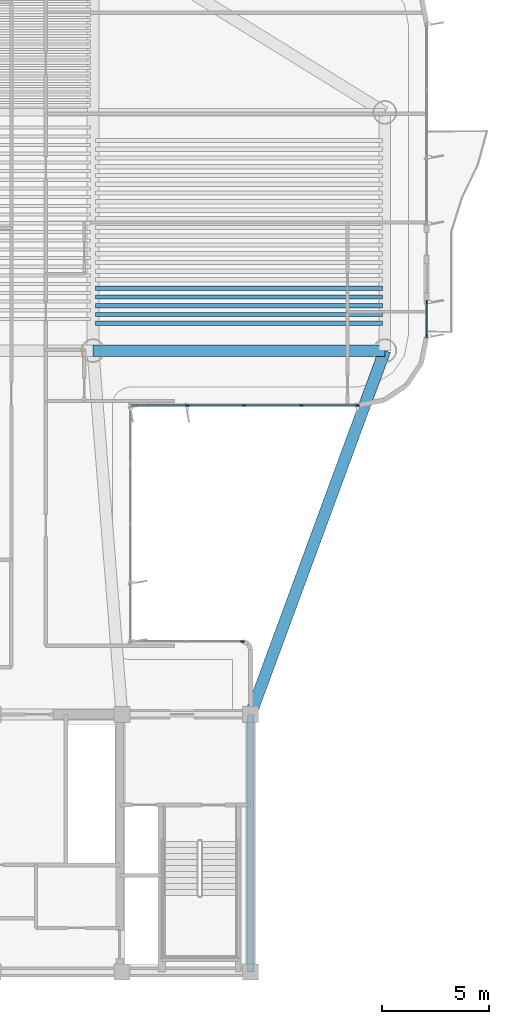
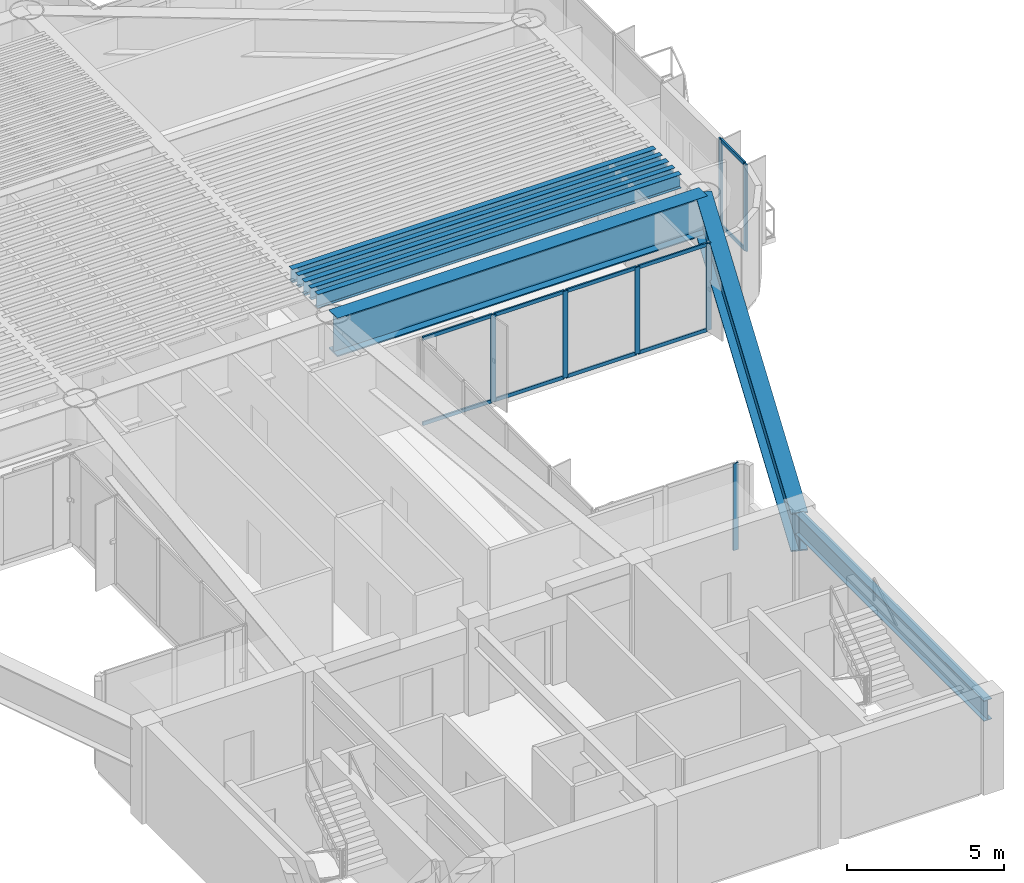
# One storey, part 4 of 13: 17 members, 8 beams, 3 elements without a shape of their own.
"""IFC4 building model written with IfcOpenShell, lengths in metres."""

from ifc_helpers import new_model, si_unit, direction, frame, origin, origin_2d, place, context, subcontext, project, spatial, rectangle, i_section, extrude, source, transform, mapped, material, layer, layer_set, material_profile, profile_set, type_object, element, aggregate, save


model = new_model("IFC4")

# Units and contexts
model_context = context("Model", 3, precision=1e-05, world=origin(), true_north=direction((0.0, 1.0)))
body_context = subcontext(model_context, "Body", "Model", "MODEL_VIEW")
ifc_project = project(units=[si_unit("LENGTHUNIT", "METRE"), si_unit("AREAUNIT", "SQUARE_METRE"), si_unit("VOLUMEUNIT", "CUBIC_METRE"), si_unit("PLANEANGLEUNIT", "RADIAN"), si_unit("MASSUNIT", "GRAM", prefix="KILO")], contexts=[model_context])

# Site, building, storey
site_placement = place(None, origin())
site = spatial("IfcSite", under=ifc_project, at=site_placement, CompositionType="ELEMENT")
building_placement = place(site_placement, origin())
building = spatial("IfcBuilding", under=site, at=building_placement, Name="Brelvock Crest Care Tower", CompositionType="ELEMENT")
storey_placement = place(building_placement, frame((0.0, 0.0, 209.340087890625)))
storey = spatial("IfcBuildingStorey", under=building, at=storey_placement, Name="L53", CompositionType="ELEMENT", Elevation=209.340087890625)

# Beams
ifc_material_1 = material(Name="Steel Grade 350", Category="steel")
ifc_material_profile_1 = material_profile(ifc_material_1, i_section(OverallWidth=0.300048828125, OverallDepth=0.800048828125, WebThickness=0.013916015625, FlangeThickness=0.02197265625, at=origin_2d()), Name="800WB192")
ifc_profile_set_1 = profile_set([ifc_material_profile_1], Name="Steel Grade 350")
beam_type_1 = type_object("IfcBeamType", Name="BM-G5", PredefinedType="BEAM", material=ifc_profile_set_1)
shared_shape_1 = source(origin(), body_context, "Body", "SweptSolid", [
    extrude(i_section(OverallWidth=0.300048828125, OverallDepth=0.800048828125, WebThickness=0.013916015625, FlangeThickness=0.02197265625, at=origin_2d()), origin(), (0.0, 0.0, 1.0), 12.0),
])
beam_1_placement = place(storey_placement, frame((48.0, 6.0, 2.971923828125), z_axis=(0.0, 1.0, 0.0), x_axis=(-1.0, 0.0, 0.0)))
element("IfcBeam", 1, at=beam_1_placement, inside=storey, type_object=beam_type_1, Name="BM-COREX-L53-5", PredefinedType="BEAM", context=body_context, shape_type="MappedRepresentation", body=[
    mapped(shared_shape_1, transform((0.0, 0.0, 0.0), x_axis=(1.0, 0.0, 0.0), y_axis=(0.0, 1.0, 0.0), z_axis=(0.0, 0.0, 1.0), scale=1.0)),
])
ifc_material_profile_2 = material_profile(ifc_material_1, i_section(OverallWidth=0.208984375, OverallDepth=0.532958984375, WebThickness=0.01025390625, FlangeThickness=0.015625, FilletRadius=0.013916015625, at=origin_2d()), Name="530UB92.4")
ifc_profile_set_2 = profile_set([ifc_material_profile_2], Name="Steel Grade 350")
beam_type_2 = type_object("IfcBeamType", Name="BM-G2", PredefinedType="BEAM", material=ifc_profile_set_2)
shared_shape_2 = source(origin(), body_context, "Body", "SweptSolid", [
    extrude(i_section(OverallWidth=0.208984375, OverallDepth=0.532958984375, WebThickness=0.01025390625, FlangeThickness=0.015625, FilletRadius=0.013916015625, at=origin_2d()), origin(), (0.0, 0.0, 1.0), 13.3701171875),
])
for number, where, z_axis, x_axis, name in (
    (2, (40.764892578125, 36.2265625, 3.10546875), (1.0, 0.0, 0.0), (0.0, 1.0, 0.0), "BM-JE-L53-3"),
    (3, (40.764892578125, 37.036865234375, 3.10546875), (1.0, 0.0, 0.0), (0.0, 1.0, 0.0), "BM-JE-L53-5"),
    (4, (40.764892578125, 37.84716796875, 3.10546875), (1.0, 0.0, 0.0), (0.0, 1.0, 0.0), "BM-JE-L53-7"),
):
    element("IfcBeam", number, at=place(storey_placement, frame(where, z_axis=z_axis, x_axis=x_axis)), inside=storey, type_object=beam_type_2, Name=name, PredefinedType="BEAM", context=body_context, shape_type="MappedRepresentation", body=[
        mapped(shared_shape_2, transform((0.0, 0.0, 0.0), x_axis=(1.0, 0.0, 0.0), y_axis=(0.0, 1.0, 0.0), z_axis=(0.0, 0.0, 1.0), scale=1.0)),
    ])
ifc_material_profile_3 = material_profile(ifc_material_1, i_section(OverallWidth=0.19091796875, OverallDepth=0.4599609375, WebThickness=0.010009765625, FlangeThickness=0.01611328125, FilletRadius=0.011474609375, at=origin_2d()), Name="460UB82.1")
ifc_profile_set_3 = profile_set([ifc_material_profile_3], Name="Steel Grade 350")
beam_type_3 = type_object("IfcBeamType", Name="BM-G3", PredefinedType="BEAM", material=ifc_profile_set_3)
shared_shape_3 = source(origin(), body_context, "Body", "SweptSolid", [
    extrude(i_section(OverallWidth=0.19091796875, OverallDepth=0.4599609375, WebThickness=0.010009765625, FlangeThickness=0.01611328125, FilletRadius=0.011474609375, at=origin_2d()), origin(), (0.0, 0.0, 1.0), 13.3701171875),
])
for number, where, z_axis, x_axis, name in (
    (5, (40.764892578125, 36.631591796875, 3.141845703125), (1.0, 0.0, 0.0), (0.0, 1.0, 0.0), "BM-JE-L53-4"),
    (6, (40.764892578125, 37.44189453125, 3.141845703125), (1.0, 0.0, 0.0), (0.0, 1.0, 0.0), "BM-JE-L53-6"),
):
    element("IfcBeam", number, at=place(storey_placement, frame(where, z_axis=z_axis, x_axis=x_axis)), inside=storey, type_object=beam_type_3, Name=name, PredefinedType="BEAM", context=body_context, shape_type="MappedRepresentation", body=[
        mapped(shared_shape_3, transform((0.0, 0.0, 0.0), x_axis=(1.0, 0.0, 0.0), y_axis=(0.0, 1.0, 0.0), z_axis=(0.0, 0.0, 1.0), scale=1.0)),
    ])
ifc_material_profile_4 = material_profile(ifc_material_1, i_section(OverallWidth=0.550048828125, OverallDepth=1.5, WebThickness=0.02392578125, FlangeThickness=0.044921875, at=origin_2d()), Name="1500TG580")
ifc_profile_set_4 = profile_set([ifc_material_profile_4], Name="Steel Grade 350")
beam_type_4 = type_object("IfcBeamType", Name="BM-TG2", PredefinedType="USERDEFINED", material=ifc_profile_set_4)
shared_shape_4 = source(origin(), body_context, "Body", "SweptSolid", [
    extrude(i_section(OverallWidth=0.550048828125, OverallDepth=1.5, WebThickness=0.02392578125, FlangeThickness=0.044921875, at=origin_2d()), origin(), (0.0, 0.0, 1.0), 13.60009765625),
])
beam_2_placement = place(storey_placement, frame((40.64990234375, 34.949951171875, 2.621826171875), z_axis=(1.0, 0.0, 0.0), x_axis=(0.0, 1.0, 0.0)))
element("IfcBeam", 7, at=beam_2_placement, inside=storey, type_object=beam_type_4, Name="BM-TWR-L53-04", ObjectType="GIRDER", PredefinedType="USERDEFINED", context=body_context, shape_type="MappedRepresentation", body=[
    mapped(shared_shape_4, transform((0.0, 0.0, 0.0), x_axis=(1.0, 0.0, 0.0), y_axis=(0.0, 1.0, 0.0), z_axis=(0.0, 0.0, 1.0), scale=1.0)),
])
shared_shape_5 = source(origin(), body_context, "Body", "SweptSolid", [
    extrude(i_section(OverallWidth=0.550048828125, OverallDepth=1.5, WebThickness=0.02392578125, FlangeThickness=0.044921875, at=origin_2d()), origin(), (0.0, 0.0, 1.0), 18.0654296875),
])
beam_3_placement = place(storey_placement, frame((48.0, 18.0, 2.621826171875), z_axis=(0.345962741309, 0.938248251597, 0.0), x_axis=(-0.938248251597, 0.345962741309, 0.0)))
element("IfcBeam", 8, at=beam_3_placement, inside=storey, type_object=beam_type_4, Name="BM-THRO-E-L53", ObjectType="GIRDER", PredefinedType="USERDEFINED", context=body_context, shape_type="MappedRepresentation", body=[
    mapped(shared_shape_5, transform((0.0, 0.0, 0.0), x_axis=(1.0, 0.0, 0.0), y_axis=(0.0, 1.0, 0.0), z_axis=(0.0, 0.0, 1.0), scale=1.0)),
])

# Curtain wall, members
ifc_material_2 = material(Name="Dark Glass Double Glazed Low-E", Category="glass")
ifc_layer = layer(ifc_material_2, 0.22509765625, Name="CWS-4")
ifc_layer_set = layer_set([ifc_layer], Name="Dark Glass Double Glazed Low-E")
curtain_wall_type = type_object("IfcCurtainWallType", Name="CWS-4", PredefinedType="NOTDEFINED", material=ifc_layer_set)
curtain_wall_1_placement = place(storey_placement, origin())
curtain_wall_1 = element("IfcCurtainWall", 9, at=curtain_wall_1_placement, inside=storey, type_object=curtain_wall_type, Name="L53 Curtain Wall E44", PredefinedType="NOTDEFINED")
ifc_material_3 = material(Name="Aluminium 6063-T6", Category="aluminium")
ifc_material_profile_5 = material_profile(ifc_material_3, rectangle(XDim=0.06005859375, YDim=0.139892578125, at=origin_2d()), Name="ALU60x140")
ifc_profile_set_5 = profile_set([ifc_material_profile_5], Name="Aluminium 6063-T6")
member_type_1 = type_object("IfcMemberType", Name="CWT-2", PredefinedType="USERDEFINED", material=ifc_profile_set_5)
shared_shape_6 = source(origin(), body_context, "Body", "SweptSolid", [
    extrude(rectangle(XDim=0.06005859375, YDim=0.139892578125, at=origin_2d()), origin(), (0.0, 0.0, 1.0), 2.56005859375),
])
member_1_placement = place(storey_placement, frame((52.93994140625, 32.39990234375, 0.030029296875), z_axis=(-1.0, 0.0, 0.0), x_axis=(0.0, -1.0, 0.0)))
member_1 = element("IfcMember", 10, at=member_1_placement, type_object=member_type_1, Name="CW-4 transom 1.1", ObjectType="TRANSOM", PredefinedType="USERDEFINED", context=body_context, shape_type="MappedRepresentation", body=[
    mapped(shared_shape_6, transform((0.0, 0.0, 0.0), x_axis=(1.0, 0.0, 0.0), y_axis=(0.0, 1.0, 0.0), z_axis=(0.0, 0.0, 1.0), scale=1.0)),
])
member_2_placement = place(storey_placement, frame((52.93994140625, 32.39990234375, 3.341796875), z_axis=(-1.0, 0.0, 0.0), x_axis=(0.0, -1.0, 0.0)))
member_2 = element("IfcMember", 11, at=member_2_placement, type_object=member_type_1, Name="CW-4 transom 1.2", ObjectType="TRANSOM", PredefinedType="USERDEFINED", context=body_context, shape_type="MappedRepresentation", body=[
    mapped(shared_shape_6, transform((0.0, 0.0, 0.0), x_axis=(1.0, 0.0, 0.0), y_axis=(0.0, 1.0, 0.0), z_axis=(0.0, 0.0, 1.0), scale=1.0)),
])
member_3_placement = place(storey_placement, frame((45.02001953125, 32.39990234375, 0.030029296875), z_axis=(-1.0, 0.0, 0.0), x_axis=(0.0, -1.0, 0.0)))
member_3 = element("IfcMember", 12, at=member_3_placement, type_object=member_type_1, Name="CW-4 transom 4.1", ObjectType="TRANSOM", PredefinedType="USERDEFINED", context=body_context, shape_type="MappedRepresentation", body=[
    mapped(shared_shape_6, transform((0.0, 0.0, 0.0), x_axis=(1.0, 0.0, 0.0), y_axis=(0.0, 1.0, 0.0), z_axis=(0.0, 0.0, 1.0), scale=1.0)),
])
member_4_placement = place(storey_placement, frame((45.02001953125, 32.39990234375, 3.341796875), z_axis=(-1.0, 0.0, 0.0), x_axis=(0.0, -1.0, 0.0)))
member_4 = element("IfcMember", 13, at=member_4_placement, type_object=member_type_1, Name="CW-4 transom 4.2", ObjectType="TRANSOM", PredefinedType="USERDEFINED", context=body_context, shape_type="MappedRepresentation", body=[
    mapped(shared_shape_6, transform((0.0, 0.0, 0.0), x_axis=(1.0, 0.0, 0.0), y_axis=(0.0, 1.0, 0.0), z_axis=(0.0, 0.0, 1.0), scale=1.0)),
])
shared_shape_7 = source(origin(), body_context, "Body", "SweptSolid", [
    extrude(rectangle(XDim=0.06005859375, YDim=0.139892578125, at=origin_2d()), origin(), (0.0, 0.0, 1.0), 2.58984375),
])
member_5_placement = place(storey_placement, frame((47.669921875, 32.39990234375, 0.030029296875), z_axis=(-1.0, 0.0, 0.0), x_axis=(0.0, -1.0, 0.0)))
member_5 = element("IfcMember", 14, at=member_5_placement, type_object=member_type_1, Name="CW-4 transom 3.1", ObjectType="TRANSOM", PredefinedType="USERDEFINED", context=body_context, shape_type="MappedRepresentation", body=[
    mapped(shared_shape_7, transform((0.0, 0.0, 0.0), x_axis=(1.0, 0.0, 0.0), y_axis=(0.0, 1.0, 0.0), z_axis=(0.0, 0.0, 1.0), scale=1.0)),
])
member_6_placement = place(storey_placement, frame((47.669921875, 32.39990234375, 3.341796875), z_axis=(-1.0, 0.0, 0.0), x_axis=(0.0, -1.0, 0.0)))
member_6 = element("IfcMember", 15, at=member_6_placement, type_object=member_type_1, Name="CW-4 transom 3.2", ObjectType="TRANSOM", PredefinedType="USERDEFINED", context=body_context, shape_type="MappedRepresentation", body=[
    mapped(shared_shape_7, transform((0.0, 0.0, 0.0), x_axis=(1.0, 0.0, 0.0), y_axis=(0.0, 1.0, 0.0), z_axis=(0.0, 0.0, 1.0), scale=1.0)),
])
shared_shape_8 = source(origin(), body_context, "Body", "SweptSolid", [
    extrude(rectangle(XDim=0.06005859375, YDim=0.139892578125, at=origin_2d()), origin(), (0.0, 0.0, 1.0), 2.590087890625),
])
member_7_placement = place(storey_placement, frame((50.320068359375, 32.39990234375, 0.030029296875), z_axis=(-1.0, 0.0, 0.0), x_axis=(0.0, -1.0, 0.0)))
member_7 = element("IfcMember", 16, at=member_7_placement, type_object=member_type_1, Name="CW-4 transom 2.1", ObjectType="TRANSOM", PredefinedType="USERDEFINED", context=body_context, shape_type="MappedRepresentation", body=[
    mapped(shared_shape_8, transform((0.0, 0.0, 0.0), x_axis=(1.0, 0.0, 0.0), y_axis=(0.0, 1.0, 0.0), z_axis=(0.0, 0.0, 1.0), scale=1.0)),
])
member_8_placement = place(storey_placement, frame((50.320068359375, 32.39990234375, 3.341796875), z_axis=(-1.0, 0.0, 0.0), x_axis=(0.0, -1.0, 0.0)))
member_8 = element("IfcMember", 17, at=member_8_placement, type_object=member_type_1, Name="CW-4 transom 2.2", ObjectType="TRANSOM", PredefinedType="USERDEFINED", context=body_context, shape_type="MappedRepresentation", body=[
    mapped(shared_shape_8, transform((0.0, 0.0, 0.0), x_axis=(1.0, 0.0, 0.0), y_axis=(0.0, 1.0, 0.0), z_axis=(0.0, 0.0, 1.0), scale=1.0)),
])

curtain_wall_2_placement = place(storey_placement, origin())
curtain_wall_2 = element("IfcCurtainWall", 18, at=curtain_wall_2_placement, inside=storey, type_object=curtain_wall_type, Name="L53 Curtain Wall E39B", PredefinedType="NOTDEFINED")
shared_shape_9 = source(origin(), body_context, "Body", "SweptSolid", [
    extrude(rectangle(XDim=0.06005859375, YDim=0.139892578125, at=origin_2d()), origin(), (0.0, 0.0, 1.0), 1.530029296875),
])
member_9_placement = place(storey_placement, frame((56.199951171875, 37.18994140625, 0.030029296875), z_axis=(0.0, -1.0, 0.0), x_axis=(1.0, 0.0, 0.0)))
member_9 = element("IfcMember", 19, at=member_9_placement, type_object=member_type_1, Name="CW-4 transom 1.1", ObjectType="TRANSOM", PredefinedType="USERDEFINED", context=body_context, shape_type="MappedRepresentation", body=[
    mapped(shared_shape_9, transform((0.0, 0.0, 0.0), x_axis=(1.0, 0.0, 0.0), y_axis=(0.0, 1.0, 0.0), z_axis=(0.0, 0.0, 1.0), scale=1.0)),
])
member_10_placement = place(storey_placement, frame((56.199951171875, 37.18994140625, 3.341796875), z_axis=(0.0, -1.0, 0.0), x_axis=(1.0, 0.0, 0.0)))
member_10 = element("IfcMember", 20, at=member_10_placement, type_object=member_type_1, Name="CW-4 transom 1.2", ObjectType="TRANSOM", PredefinedType="USERDEFINED", context=body_context, shape_type="MappedRepresentation", body=[
    mapped(shared_shape_9, transform((0.0, 0.0, 0.0), x_axis=(1.0, 0.0, 0.0), y_axis=(0.0, 1.0, 0.0), z_axis=(0.0, 0.0, 1.0), scale=1.0)),
])
ifc_material_profile_6 = material_profile(ifc_material_3, rectangle(XDim=0.06005859375, YDim=0.179931640625, at=origin_2d()), Name="ALU60x180")
ifc_profile_set_6 = profile_set([ifc_material_profile_6], Name="Aluminium 6063-T6")
member_type_2 = type_object("IfcMemberType", Name="CWM-2", PredefinedType="MULLION", material=ifc_profile_set_6)
shared_shape_10 = source(origin(), body_context, "Body", "SweptSolid", [
    extrude(rectangle(XDim=0.06005859375, YDim=0.179931640625, at=origin_2d()), origin(), (0.0, 0.0, 1.0), 3.371826171875),
])
member_11_placement = place(storey_placement, frame((56.199951171875, 37.219970703125, 0.0), z_axis=(0.0, 0.0, 1.0), x_axis=(1.0, 0.0, 0.0)))
member_11 = element("IfcMember", 21, at=member_11_placement, type_object=member_type_2, Name="CW-4 mullion 1", PredefinedType="MULLION", context=body_context, shape_type="MappedRepresentation", body=[
    mapped(shared_shape_10, transform((0.0, 0.0, 0.0), x_axis=(1.0, 0.0, 0.0), y_axis=(0.0, 1.0, 0.0), z_axis=(0.0, 0.0, 1.0), scale=1.0)),
])
member_12_placement = place(storey_placement, frame((56.199951171875, 35.6298828125, 0.0), z_axis=(0.0, 0.0, 1.0), x_axis=(1.0, 0.0, 0.0)))
member_12 = element("IfcMember", 22, at=member_12_placement, type_object=member_type_2, Name="CW-4 mullion 2", PredefinedType="MULLION", context=body_context, shape_type="MappedRepresentation", body=[
    mapped(shared_shape_10, transform((0.0, 0.0, 0.0), x_axis=(1.0, 0.0, 0.0), y_axis=(0.0, 1.0, 0.0), z_axis=(0.0, 0.0, 1.0), scale=1.0)),
])
aggregate(curtain_wall_2, [member_11, member_12, member_9, member_10])

# Member
member_13_placement = place(storey_placement, frame((52.969970703125, 32.39990234375, 0.0), z_axis=(0.0, 0.0, 1.0), x_axis=(0.0, -1.0, 0.0)))
member_13 = element("IfcMember", 23, at=member_13_placement, type_object=member_type_2, Name="CW-4 mullion 1", PredefinedType="MULLION", context=body_context, shape_type="MappedRepresentation", body=[
    mapped(shared_shape_10, transform((0.0, 0.0, 0.0), x_axis=(1.0, 0.0, 0.0), y_axis=(0.0, 1.0, 0.0), z_axis=(0.0, 0.0, 1.0), scale=1.0)),
])

member_14_placement = place(storey_placement, frame((50.35009765625, 32.39990234375, 0.0), z_axis=(0.0, 0.0, 1.0), x_axis=(0.0, -1.0, 0.0)))
member_14 = element("IfcMember", 24, at=member_14_placement, type_object=member_type_2, Name="CW-4 mullion 2", PredefinedType="MULLION", context=body_context, shape_type="MappedRepresentation", body=[
    mapped(shared_shape_10, transform((0.0, 0.0, 0.0), x_axis=(1.0, 0.0, 0.0), y_axis=(0.0, 1.0, 0.0), z_axis=(0.0, 0.0, 1.0), scale=1.0)),
])

member_15_placement = place(storey_placement, frame((47.699951171875, 32.39990234375, 0.0), z_axis=(0.0, 0.0, 1.0), x_axis=(0.0, -1.0, 0.0)))
member_15 = element("IfcMember", 25, at=member_15_placement, type_object=member_type_2, Name="CW-4 mullion 3", PredefinedType="MULLION", context=body_context, shape_type="MappedRepresentation", body=[
    mapped(shared_shape_10, transform((0.0, 0.0, 0.0), x_axis=(1.0, 0.0, 0.0), y_axis=(0.0, 1.0, 0.0), z_axis=(0.0, 0.0, 1.0), scale=1.0)),
])

member_16_placement = place(storey_placement, frame((45.050048828125, 32.39990234375, 0.0), z_axis=(0.0, 0.0, 1.0), x_axis=(0.0, -1.0, 0.0)))
member_16 = element("IfcMember", 26, at=member_16_placement, type_object=member_type_2, Name="CW-4 mullion 4", PredefinedType="MULLION", context=body_context, shape_type="MappedRepresentation", body=[
    mapped(shared_shape_10, transform((0.0, 0.0, 0.0), x_axis=(1.0, 0.0, 0.0), y_axis=(0.0, 1.0, 0.0), z_axis=(0.0, 0.0, 1.0), scale=1.0)),
])

aggregate(curtain_wall_1, [member_13, member_14, member_15, member_16, member_1, member_2, member_7, member_8, member_5, member_6, member_3, member_4])

# Curtain wall, member
curtain_wall_3_placement = place(storey_placement, origin())
curtain_wall_3 = element("IfcCurtainWall", 27, at=curtain_wall_3_placement, inside=storey, type_object=curtain_wall_type, Name="L53 Curtain Wall E46", PredefinedType="NOTDEFINED")
member_17_placement = place(storey_placement, frame((47.6201171875, 21.39990234375, 0.0), z_axis=(0.0, 0.0, 1.0), x_axis=(0.0, 1.0, 0.0)))
member_17 = element("IfcMember", 28, at=member_17_placement, type_object=member_type_2, Name="CW-4 mullion 3", PredefinedType="MULLION", context=body_context, shape_type="MappedRepresentation", body=[
    mapped(shared_shape_10, transform((0.0, 0.0, 0.0), x_axis=(1.0, 0.0, 0.0), y_axis=(0.0, 1.0, 0.0), z_axis=(0.0, 0.0, 1.0), scale=1.0)),
])
aggregate(curtain_wall_3, [member_17])

save(model, "model.ifc")
